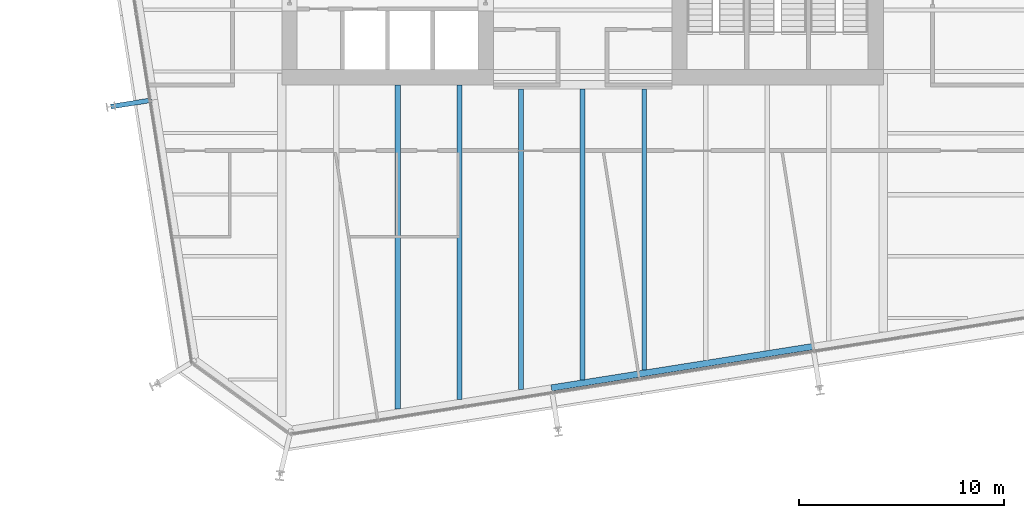
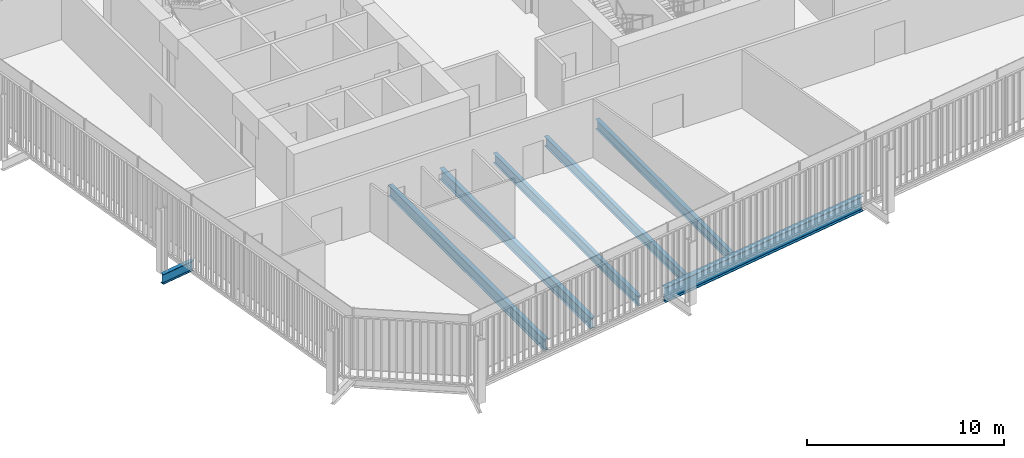
# One storey, part 3 of 21: 7 beams.
"""IFC4 building model written with IfcOpenShell, lengths in metres."""

from ifc_helpers import new_model, si_unit, direction, frame, origin, origin_2d, place, context, subcontext, project, spatial, i_section, extrude, material, material_profile, profile_set, type_object, element, save


model = new_model("IFC4")

# Units and contexts
model_context = context("Model", 3, precision=1e-05, world=origin(), true_north=direction((0.0, 1.0)))
body_context = subcontext(model_context, "Body", "Model", "MODEL_VIEW")
ifc_project = project(units=[si_unit("LENGTHUNIT", "METRE"), si_unit("AREAUNIT", "SQUARE_METRE"), si_unit("VOLUMEUNIT", "CUBIC_METRE"), si_unit("PLANEANGLEUNIT", "RADIAN"), si_unit("MASSUNIT", "GRAM", prefix="KILO")], contexts=[model_context])

# Site, building, storey
site_placement = place(None, origin())
site = spatial("IfcSite", under=ifc_project, at=site_placement, CompositionType="ELEMENT")
building_placement = place(site_placement, origin())
building = spatial("IfcBuilding", under=site, at=building_placement, Name="Millrace Tower", CompositionType="ELEMENT")
storey_placement = place(building_placement, frame((0.0, 0.0, 191.699951171875)))
storey = spatial("IfcBuildingStorey", under=building, at=storey_placement, Name="L43", CompositionType="ELEMENT", Elevation=191.699951171875)

# Beams
ifc_material_1 = material(Name="Steel ASTM A992 Grade 50", Category="steel")
ifc_material_profile_1 = material_profile(ifc_material_1, i_section(OverallWidth=0.228271484375, OverallDepth=0.607177734375, WebThickness=0.01123046875, FlangeThickness=0.017333984375, FilletRadius=0.0126953125, at=origin_2d()))
ifc_profile_set_1 = profile_set([ifc_material_profile_1], Name="Steel ASTM A992 Grade 50")
beam_type_1 = type_object("IfcBeamType", Name="Floor beam W24x76", PredefinedType="JOIST", material=ifc_profile_set_1)
beam_1_placement = place(storey_placement, frame((-3.0, -24.4970703125, -0.46337890625), z_axis=(0.0, 1.0, 0.0), x_axis=(-1.0, 0.0, 0.0)))
element("IfcBeam", 1, at=beam_1_placement, inside=storey, type_object=beam_type_1, Name="BM-C-L43-S1-S046", PredefinedType="JOIST", context=body_context, shape_type="SweptSolid", body=[
    extrude(i_section(OverallWidth=0.228271484375, OverallDepth=0.607177734375, WebThickness=0.01123046875, FlangeThickness=0.017333984375, FilletRadius=0.0126953125, at=origin_2d()), origin(), (0.0, 0.0, 1.0), 14.637451171875),
])
beam_2_placement = place(storey_placement, frame((0.0, -24.021728515625, -0.46337890625), z_axis=(0.0, 1.0, 0.0), x_axis=(-1.0, 0.0, 0.0)))
element("IfcBeam", 2, at=beam_2_placement, inside=storey, type_object=beam_type_1, Name="BM-C-L43-S1-S048", PredefinedType="JOIST", context=body_context, shape_type="SweptSolid", body=[
    extrude(i_section(OverallWidth=0.228271484375, OverallDepth=0.607177734375, WebThickness=0.01123046875, FlangeThickness=0.017333984375, FilletRadius=0.0126953125, at=origin_2d()), origin(), (0.0, 0.0, 1.0), 14.162109375),
])
beam_3_placement = place(storey_placement, frame((3.0, -23.546630859375, -0.46337890625), z_axis=(0.0, 1.0, 0.0), x_axis=(-1.0, 0.0, 0.0)))
element("IfcBeam", 3, at=beam_3_placement, inside=storey, type_object=beam_type_1, Name="BM-C-L43-S1-S050", PredefinedType="JOIST", context=body_context, shape_type="SweptSolid", body=[
    extrude(i_section(OverallWidth=0.228271484375, OverallDepth=0.607177734375, WebThickness=0.01123046875, FlangeThickness=0.017333984375, FilletRadius=0.0126953125, at=origin_2d()), origin(), (0.0, 0.0, 1.0), 13.68701171875),
])
ifc_material_2 = material(Name="Steel ASTM A992 Grade 50", Category="steel")
ifc_material_profile_2 = material_profile(ifc_material_2, i_section(OverallWidth=0.256591796875, OverallDepth=0.693359375, WebThickness=0.014404296875, FlangeThickness=0.023681640625, FilletRadius=0.01513671875, at=origin_2d()))
ifc_profile_set_2 = profile_set([ifc_material_profile_2], Name="Steel ASTM A992 Grade 50")
beam_type_2 = type_object("IfcBeamType", Name="Floor beam W27x114", PredefinedType="JOIST", material=ifc_profile_set_2)
beam_4_placement = place(storey_placement, frame((-9.0, -25.447265625, -0.506591796875), z_axis=(0.0, 1.0, 0.0), x_axis=(-1.0, 0.0, 0.0)))
element("IfcBeam", 4, at=beam_4_placement, inside=storey, type_object=beam_type_2, Name="BM-C-L43-S1-S042", PredefinedType="JOIST", context=body_context, shape_type="SweptSolid", body=[
    extrude(i_section(OverallWidth=0.256591796875, OverallDepth=0.693359375, WebThickness=0.014404296875, FlangeThickness=0.023681640625, FilletRadius=0.01513671875, at=origin_2d()), origin(), (0.0, 0.0, 1.0), 15.79736328125),
])
beam_5_placement = place(storey_placement, frame((-6.0, -24.97216796875, -0.506591796875), z_axis=(0.0, 1.0, 0.0), x_axis=(-1.0, 0.0, 0.0)))
element("IfcBeam", 5, at=beam_5_placement, inside=storey, type_object=beam_type_2, Name="BM-C-L43-S1-S044", PredefinedType="JOIST", context=body_context, shape_type="SweptSolid", body=[
    extrude(i_section(OverallWidth=0.256591796875, OverallDepth=0.693359375, WebThickness=0.014404296875, FlangeThickness=0.023681640625, FilletRadius=0.01513671875, at=origin_2d()), origin(), (0.0, 0.0, 1.0), 15.322265625),
])
ifc_material_3 = material(Name="Steel ASTM A992 Grade 50", Category="steel")
ifc_material_profile_3 = material_profile(ifc_material_3, i_section(OverallWidth=0.23046875, OverallDepth=0.6171875, WebThickness=0.01318359375, FlangeThickness=0.022216796875, FilletRadius=0.012939453125, at=origin_2d()))
ifc_profile_set_3 = profile_set([ifc_material_profile_3], Name="Steel ASTM A992 Grade 50")
beam_type_3 = type_object("IfcBeamType", Name="Link beam W24x94", PredefinedType="BEAM", material=ifc_profile_set_3)
beam_6_placement = place(storey_placement, frame((-21.001708984375, -10.396728515625, -0.468505859375), z_axis=(-0.987678691416, -0.156495375404, 0.0), x_axis=(0.156495375404, -0.987678691416, 0.0)))
element("IfcBeam", 6, at=beam_6_placement, inside=storey, type_object=beam_type_3, Name="LNK-C-L43-S1-02", PredefinedType="BEAM", context=body_context, shape_type="SweptSolid", body=[
    extrude(i_section(OverallWidth=0.23046875, OverallDepth=0.6171875, WebThickness=0.01318359375, FlangeThickness=0.022216796875, FilletRadius=0.012939453125, at=origin_2d()), origin(), (0.0, 0.0, 1.0), 2.0),
])
ifc_material_4 = material(Name="Steel ASTM A992 Grade 50", Category="steel")
ifc_material_profile_4 = material_profile(ifc_material_4, i_section(OverallWidth=0.307373046875, OverallDepth=0.927001953125, WebThickness=0.01953125, FlangeThickness=0.031982421875, FilletRadius=0.01904296875, at=origin_2d()))
ifc_profile_set_4 = profile_set([ifc_material_profile_4], Name="Steel ASTM A992 Grade 50")
beam_type_4 = type_object("IfcBeamType", Name="Ring beam medium span W36x194", PredefinedType="SPANDREL", material=ifc_profile_set_4)
beam_7_placement = place(storey_placement, frame((11.22265625, -22.39990234375, -0.62353515625), z_axis=(-0.987687196578, -0.156441687909, 0.0), x_axis=(0.156441687909, -0.987687196578, 0.0)))
element("IfcBeam", 7, at=beam_7_placement, inside=storey, type_object=beam_type_4, Name="RNG-C-L43-S1-14", PredefinedType="SPANDREL", context=body_context, shape_type="SweptSolid", body=[
    extrude(i_section(OverallWidth=0.307373046875, OverallDepth=0.927001953125, WebThickness=0.01953125, FlangeThickness=0.031982421875, FilletRadius=0.01904296875, at=origin_2d()), origin(), (0.0, 0.0, 1.0), 12.89990234375),
])

save(model, "model.ifc")
